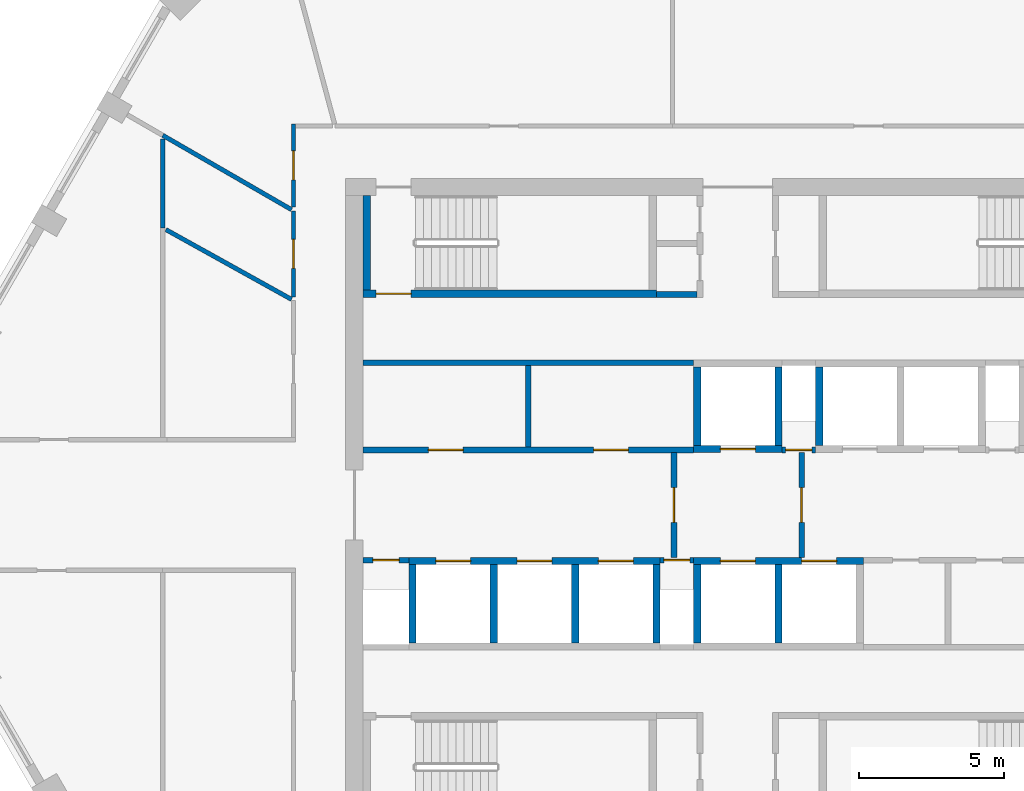
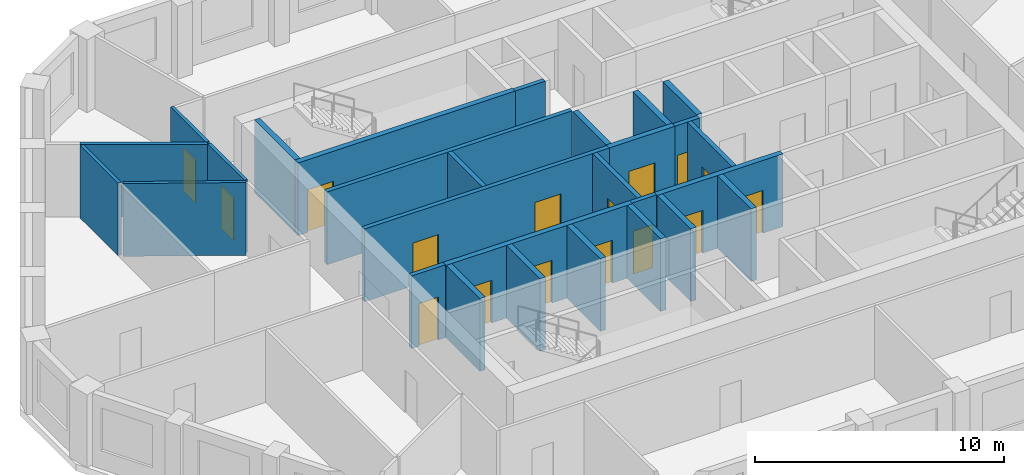
# One storey, part 3 of 7: 28 walls, 16 doors, 16 openings.
"""IFC4 building model written with IfcOpenShell, lengths in metres."""

from ifc_helpers import new_model, si_unit, direction, frame, frame_2d, origin, place, context, subcontext, project, spatial, polyline, rectangle, outline, extrude, material, layer, layer_set, type_object, element, fill, save


model = new_model("IFC4")

# Units and contexts
model_context = context("Model", 3, precision=1e-05, world=origin(), true_north=direction((0.0, 1.0)))
body_context = subcontext(model_context, "Body", "Model", "MODEL_VIEW")
ifc_project = project(units=[si_unit("LENGTHUNIT", "METRE"), si_unit("AREAUNIT", "SQUARE_METRE"), si_unit("VOLUMEUNIT", "CUBIC_METRE"), si_unit("PLANEANGLEUNIT", "RADIAN"), si_unit("MASSUNIT", "GRAM", prefix="KILO")], contexts=[model_context])

# Site, building, storey
site_placement = place(None, origin())
site = spatial("IfcSite", under=ifc_project, at=site_placement, CompositionType="ELEMENT")
building_placement = place(site_placement, origin())
building = spatial("IfcBuilding", under=site, at=building_placement, Name="Dhurran Vertical Campus", CompositionType="ELEMENT")
storey_placement = place(building_placement, frame((0.0, 0.0, 262.5)))
storey = spatial("IfcBuildingStorey", under=building, at=storey_placement, Name="L65", CompositionType="ELEMENT", Elevation=262.5)

# Wall, opening, door
ifc_material_1 = material(Name="Fire-rated masonry blockwork", Category="masonry")
ifc_layer_1 = layer(ifc_material_1, 0.199951171875)
ifc_layer_set_1 = layer_set([ifc_layer_1], Name="Fire-rated masonry blockwork")
wall_type_1 = type_object("IfcWallType", Name="co-FIRE-PARTITION-200", PredefinedType="PARTITIONING", material=ifc_layer_set_1)
wall_1_placement = place(storey_placement, frame((-2.199951171875, -1.800048828125, 0.0), z_axis=(0.0, 0.0, 1.0), x_axis=(0.0, 1.0, 0.0)))
wall_1 = element("IfcWall", 1, at=wall_1_placement, inside=storey, type_object=wall_type_1, Name="Firefighting lobby wall W L65", PredefinedType="PARTITIONING", context=body_context, shape_type="SweptSolid", body=[
    extrude(rectangle(XDim=3.60009765625, YDim=0.199951171875, at=frame_2d((1.800048828125, 0.0))), origin(), (0.0, 0.0, 1.0), 3.574951171875),
])
opening_1_placement = place(wall_1_placement, frame((1.199951171875, 0.0, 0.0)))
opening_1 = element("IfcOpeningElement", 2, at=opening_1_placement, cuts=wall_1, Name="Opening FL1", PredefinedType="OPENING", context=body_context, shape_type="SweptSolid", body=[
    extrude(rectangle(XDim=1.199951171875, YDim=2.10009765625, at=frame_2d((0.60009765625, 1.050048828125))), frame((0.0, 0.10986328125, 0.0), z_axis=(0.0, -1.0, 0.0), x_axis=(1.0, 0.0, 0.0)), (0.0, 0.0, 1.0), 0.219970703125),
])
ifc_material_2 = material(Name="Fire-rated steel door set", Category="steel")
door_type_1 = type_object("IfcDoorType", Name="co-D-FFLOBBY 1200x2100", OperationType="SINGLE_SWING_LEFT", PredefinedType="DOOR", material=ifc_material_2)
door_1_placement = place(opening_1_placement, origin())
door_1 = element("IfcDoor", 3, at=door_1_placement, inside=storey, type_object=door_type_1, Name="Firefighting lobby door W L65", OperationType="SINGLE_SWING_LEFT", OverallHeight=2.10009765625, OverallWidth=1.199951171875, PredefinedType="DOOR", context=body_context, shape_type="SweptSolid", body=[
    extrude(rectangle(XDim=1.199951171875, YDim=2.10009765625, at=frame_2d((0.60009765625, 1.050048828125))), frame((0.0, 0.02490234375, 0.0), z_axis=(0.0, -1.0, 0.0), x_axis=(1.0, 0.0, 0.0)), (0.0, 0.0, 1.0), 0.050048828125),
])
fill(opening_1, door_1)

wall_2_placement = place(storey_placement, frame((2.199951171875, -1.800048828125, 0.0), z_axis=(0.0, 0.0, 1.0), x_axis=(0.0, 1.0, 0.0)))
wall_2 = element("IfcWall", 4, at=wall_2_placement, inside=storey, type_object=wall_type_1, Name="Firefighting lobby wall E L65", PredefinedType="PARTITIONING", context=body_context, shape_type="SweptSolid", body=[
    extrude(rectangle(XDim=3.60009765625, YDim=0.199951171875, at=frame_2d((1.800048828125, 0.0))), origin(), (0.0, 0.0, 1.0), 3.574951171875),
])
opening_2_placement = place(wall_2_placement, frame((1.199951171875, 0.0, 0.0)))
opening_2 = element("IfcOpeningElement", 5, at=opening_2_placement, cuts=wall_2, Name="Opening FL2", PredefinedType="OPENING", context=body_context, shape_type="SweptSolid", body=[
    extrude(rectangle(XDim=1.199951171875, YDim=2.10009765625, at=frame_2d((0.60009765625, 1.050048828125))), frame((0.0, 0.10986328125, 0.0), z_axis=(0.0, -1.0, 0.0), x_axis=(1.0, 0.0, 0.0)), (0.0, 0.0, 1.0), 0.219970703125),
])
door_2_placement = place(opening_2_placement, origin())
door_2 = element("IfcDoor", 6, at=door_2_placement, inside=storey, type_object=door_type_1, Name="Firefighting lobby door E L65", OperationType="SINGLE_SWING_LEFT", OverallHeight=2.10009765625, OverallWidth=1.199951171875, PredefinedType="DOOR", context=body_context, shape_type="SweptSolid", body=[
    extrude(rectangle(XDim=1.199951171875, YDim=2.10009765625, at=frame_2d((0.60009765625, 1.050048828125))), frame((0.0, 0.02490234375, 0.0), z_axis=(0.0, -1.0, 0.0), x_axis=(1.0, 0.0, 0.0)), (0.0, 0.0, 1.0), 0.050048828125),
])
fill(opening_2, door_2)

# Walls
wall_3_placement = place(storey_placement, frame((-2.800048828125, 7.25, 0.0), z_axis=(0.0, 0.0, 1.0), x_axis=(1.0, 0.0, 0.0)))
element("IfcWall", 7, at=wall_3_placement, inside=storey, type_object=wall_type_1, Name="Core partition sl-NW-S L65", PredefinedType="PARTITIONING", context=body_context, shape_type="SweptSolid", body=[
    extrude(rectangle(XDim=1.400146484375, YDim=0.199951171875, at=frame_2d((0.7001953125, 0.0))), origin(), (0.0, 0.0, 1.0), 3.574951171875),
])
wall_4_placement = place(storey_placement, frame((-7.21240234375, 2.0, 0.0), z_axis=(0.0, 0.0, 1.0), x_axis=(0.0, 1.0, 0.0)))
element("IfcWall", 8, at=wall_4_placement, inside=storey, type_object=wall_type_1, Name="Core partition fr-N0-cut0 L65", PredefinedType="PARTITIONING", context=body_context, shape_type="SweptSolid", body=[
    extrude(rectangle(XDim=2.800048828125, YDim=0.199951171875, at=frame_2d((1.39990234375, 0.0))), origin(), (0.0, 0.0, 1.0), 3.574951171875),
])

# Wall, openings, doors
wall_5_placement = place(storey_placement, frame((-12.89990234375, 1.89990234375, 0.0), z_axis=(0.0, 0.0, 1.0), x_axis=(1.0, 0.0, 0.0)))
wall_5 = element("IfcWall", 9, at=wall_5_placement, inside=storey, type_object=wall_type_1, Name="Core partition fr-N0-f L65", PredefinedType="PARTITIONING", context=body_context, shape_type="SweptSolid", body=[
    extrude(rectangle(XDim=11.375, YDim=0.199951171875, at=frame_2d((5.6875, 0.0))), origin(), (0.0, 0.0, 1.0), 3.574951171875),
])
opening_3_placement = place(wall_5_placement, frame((2.243896484375, 0.0, 0.0)))
opening_3 = element("IfcOpeningElement", 10, at=opening_3_placement, cuts=wall_5, Name="Opening T19-C6", PredefinedType="OPENING", context=body_context, shape_type="SweptSolid", body=[
    extrude(rectangle(XDim=1.199951171875, YDim=2.10009765625, at=frame_2d((0.60009765625, 1.050048828125))), frame((0.0, 0.10986328125, 0.0), z_axis=(0.0, -1.0, 0.0), x_axis=(1.0, 0.0, 0.0)), (0.0, 0.0, 1.0), 0.219970703125),
])
opening_4_placement = place(wall_5_placement, frame((7.931396484375, 0.0, 0.0)))
opening_4 = element("IfcOpeningElement", 11, at=opening_4_placement, cuts=wall_5, Name="Opening T19-C7", PredefinedType="OPENING", context=body_context, shape_type="SweptSolid", body=[
    extrude(rectangle(XDim=1.199951171875, YDim=2.10009765625, at=frame_2d((0.60009765625, 1.050048828125))), frame((0.0, 0.10986328125, 0.0), z_axis=(0.0, -1.0, 0.0), x_axis=(1.0, 0.0, 0.0)), (0.0, 0.0, 1.0), 0.219970703125),
])
ifc_material_3 = material(Name="Fire-rated steel door set", Category="steel")
door_type_2 = type_object("IfcDoorType", Name="co-D-ROOM-PASSAGE 1200x2100", OperationType="SINGLE_SWING_RIGHT", PredefinedType="DOOR", material=ifc_material_3)
door_3_placement = place(opening_3_placement, origin())
door_3 = element("IfcDoor", 12, at=door_3_placement, inside=storey, type_object=door_type_2, Name="Store door L65", OperationType="SINGLE_SWING_RIGHT", OverallHeight=2.10009765625, OverallWidth=1.199951171875, PredefinedType="DOOR", context=body_context, shape_type="SweptSolid", body=[
    extrude(rectangle(XDim=1.199951171875, YDim=2.10009765625, at=frame_2d((0.60009765625, 1.050048828125))), frame((0.0, 0.02490234375, 0.0), z_axis=(0.0, -1.0, 0.0), x_axis=(1.0, 0.0, 0.0)), (0.0, 0.0, 1.0), 0.050048828125),
])
fill(opening_3, door_3)
door_4_placement = place(opening_4_placement, origin())
door_4 = element("IfcDoor", 13, at=door_4_placement, inside=storey, type_object=door_type_2, Name="Housekeeping store door L65", OperationType="SINGLE_SWING_RIGHT", OverallHeight=2.10009765625, OverallWidth=1.199951171875, PredefinedType="DOOR", context=body_context, shape_type="SweptSolid", body=[
    extrude(rectangle(XDim=1.199951171875, YDim=2.10009765625, at=frame_2d((0.60009765625, 1.050048828125))), frame((0.0, 0.02490234375, 0.0), z_axis=(0.0, -1.0, 0.0), x_axis=(1.0, 0.0, 0.0)), (0.0, 0.0, 1.0), 0.050048828125),
])
fill(opening_4, door_4)

# Wall
wall_6_placement = place(storey_placement, frame((-12.89990234375, 4.89990234375, 0.0), z_axis=(0.0, 0.0, 1.0), x_axis=(1.0, 0.0, 0.0)))
element("IfcWall", 14, at=wall_6_placement, inside=storey, type_object=wall_type_1, Name="Core partition fr-N0-b L65", PredefinedType="PARTITIONING", context=body_context, shape_type="SweptSolid", body=[
    extrude(rectangle(XDim=11.375, YDim=0.199951171875, at=frame_2d((5.6875, 0.0))), origin(), (0.0, 0.0, 1.0), 3.574951171875),
])

# Wall, opening, door
wall_7_placement = place(storey_placement, frame((1.52490234375, 1.89990234375, 0.0), z_axis=(0.0, 0.0, 1.0), x_axis=(1.0, 0.0, 0.0)))
wall_7 = element("IfcWall", 15, at=wall_7_placement, inside=storey, type_object=wall_type_1, Name="Core partition fr-N1-f L65", PredefinedType="PARTITIONING", context=body_context, shape_type="SweptSolid", body=[
    extrude(rectangle(XDim=1.150146484375, YDim=0.199951171875, at=frame_2d((0.5751953125, 0.0))), origin(), (0.0, 0.0, 1.0), 3.574951171875),
])
opening_5_placement = place(wall_7_placement, frame((0.125, 0.0, 0.0)))
opening_5 = element("IfcOpeningElement", 16, at=opening_5_placement, cuts=wall_7, Name="Opening T19-C8", PredefinedType="OPENING", context=body_context, shape_type="SweptSolid", body=[
    extrude(rectangle(XDim=0.89990234375, YDim=2.10009765625, at=frame_2d((0.449951171875, 1.050048828125))), frame((0.0, 0.10986328125, 0.0), z_axis=(0.0, -1.0, 0.0), x_axis=(1.0, 0.0, 0.0)), (0.0, 0.0, 1.0), 0.219970703125),
])
ifc_material_4 = material(Name="Fire-rated timber door set", Category="wood")
door_type_3 = type_object("IfcDoorType", Name="co-D-ROOM 900x2100", OperationType="SINGLE_SWING_LEFT", PredefinedType="DOOR", material=ifc_material_4)
door_5_placement = place(opening_5_placement, origin())
door_5 = element("IfcDoor", 17, at=door_5_placement, inside=storey, type_object=door_type_3, Name="Water riser door L65", OperationType="SINGLE_SWING_LEFT", OverallHeight=2.10009765625, OverallWidth=0.89990234375, PredefinedType="DOOR", context=body_context, shape_type="SweptSolid", body=[
    extrude(rectangle(XDim=0.89990234375, YDim=2.10009765625, at=frame_2d((0.449951171875, 1.050048828125))), frame((0.0, 0.02490234375, 0.0), z_axis=(0.0, -1.0, 0.0), x_axis=(1.0, 0.0, 0.0)), (0.0, 0.0, 1.0), 0.050048828125),
])
fill(opening_5, door_5)

wall_8_placement = place(storey_placement, frame((-12.89990234375, -1.89990234375, 0.0), z_axis=(0.0, 0.0, 1.0), x_axis=(1.0, 0.0, 0.0)))
wall_8 = element("IfcWall", 18, at=wall_8_placement, inside=storey, type_object=wall_type_1, Name="Core partition fr-S0-f L65", PredefinedType="PARTITIONING", context=body_context, shape_type="SweptSolid", body=[
    extrude(rectangle(XDim=1.574951171875, YDim=0.199951171875, at=frame_2d((0.78759765625, 0.0))), origin(), (0.0, 0.0, 1.0), 3.574951171875),
])
opening_6_placement = place(wall_8_placement, frame((0.33740234375, 0.0, 0.0)))
opening_6 = element("IfcOpeningElement", 19, at=opening_6_placement, cuts=wall_8, Name="Opening T19-C10", PredefinedType="OPENING", context=body_context, shape_type="SweptSolid", body=[
    extrude(rectangle(XDim=0.89990234375, YDim=2.10009765625, at=frame_2d((0.449951171875, 1.050048828125))), frame((0.0, 0.10986328125, 0.0), z_axis=(0.0, -1.0, 0.0), x_axis=(1.0, 0.0, 0.0)), (0.0, 0.0, 1.0), 0.219970703125),
])
door_6_placement = place(opening_6_placement, origin())
door_6 = element("IfcDoor", 20, at=door_6_placement, inside=storey, type_object=door_type_3, Name="Electrical riser door L65", OperationType="SINGLE_SWING_LEFT", OverallHeight=2.10009765625, OverallWidth=0.89990234375, PredefinedType="DOOR", context=body_context, shape_type="SweptSolid", body=[
    extrude(rectangle(XDim=0.89990234375, YDim=2.10009765625, at=frame_2d((0.449951171875, 1.050048828125))), frame((0.0, 0.02490234375, 0.0), z_axis=(0.0, -1.0, 0.0), x_axis=(1.0, 0.0, 0.0)), (0.0, 0.0, 1.0), 0.050048828125),
])
fill(opening_6, door_6)

wall_9_placement = place(storey_placement, frame((-2.675048828125, -1.89990234375, 0.0), z_axis=(0.0, 0.0, 1.0), x_axis=(1.0, 0.0, 0.0)))
wall_9 = element("IfcWall", 21, at=wall_9_placement, inside=storey, type_object=wall_type_1, Name="Core partition fr-S1-f L65", PredefinedType="PARTITIONING", context=body_context, shape_type="SweptSolid", body=[
    extrude(rectangle(XDim=1.150146484375, YDim=0.199951171875, at=frame_2d((0.5751953125, 0.0))), origin(), (0.0, 0.0, 1.0), 3.574951171875),
])
opening_7_placement = place(wall_9_placement, frame((0.125, 0.0, 0.0)))
opening_7 = element("IfcOpeningElement", 22, at=opening_7_placement, cuts=wall_9, Name="Opening T19-C11", PredefinedType="OPENING", context=body_context, shape_type="SweptSolid", body=[
    extrude(rectangle(XDim=0.89990234375, YDim=2.10009765625, at=frame_2d((0.449951171875, 1.050048828125))), frame((0.0, 0.10986328125, 0.0), z_axis=(0.0, -1.0, 0.0), x_axis=(1.0, 0.0, 0.0)), (0.0, 0.0, 1.0), 0.219970703125),
])
door_7_placement = place(opening_7_placement, origin())
door_7 = element("IfcDoor", 23, at=door_7_placement, inside=storey, type_object=door_type_3, Name="Water riser door L65", OperationType="SINGLE_SWING_LEFT", OverallHeight=2.10009765625, OverallWidth=0.89990234375, PredefinedType="DOOR", context=body_context, shape_type="SweptSolid", body=[
    extrude(rectangle(XDim=0.89990234375, YDim=2.10009765625, at=frame_2d((0.449951171875, 1.050048828125))), frame((0.0, 0.02490234375, 0.0), z_axis=(0.0, -1.0, 0.0), x_axis=(1.0, 0.0, 0.0)), (0.0, 0.0, 1.0), 0.050048828125),
])
fill(opening_7, door_7)

ifc_material_5 = material(Name="Concrete C50/60", Category="concrete")
ifc_layer_2 = layer(ifc_material_5, 0.25)
ifc_layer_set_2 = layer_set([ifc_layer_2], Name="Concrete C50/60")
wall_type_2 = type_object("IfcWallType", Name="co-SHAFT-FRONT-250", PredefinedType="SHEAR", material=ifc_layer_set_2)
wall_10_placement = place(storey_placement, frame((-1.52490234375, 1.925048828125, 0.0), z_axis=(0.0, 0.0, 1.0), x_axis=(1.0, 0.0, 0.0)))
wall_10 = element("IfcWall", 24, at=wall_10_placement, inside=storey, type_object=wall_type_2, Name="Lift landing wall N L65", PredefinedType="SHEAR", context=body_context, shape_type="SweptSolid", body=[
    extrude(rectangle(XDim=3.0498046875, YDim=0.25, at=frame_2d((1.52490234375, 0.0))), origin(), (0.0, 0.0, 1.0), 3.574951171875),
])
opening_8_placement = place(wall_10_placement, frame((0.925048828125, 0.0, 0.0)))
opening_8 = element("IfcOpeningElement", 25, at=opening_8_placement, cuts=wall_10, Name="Opening LD", PredefinedType="OPENING", context=body_context, shape_type="SweptSolid", body=[
    extrude(rectangle(XDim=1.199951171875, YDim=2.10009765625, at=frame_2d((0.60009765625, 1.050048828125))), frame((0.0, 0.135009765625, 0.0), z_axis=(0.0, -1.0, 0.0), x_axis=(1.0, 0.0, 0.0)), (0.0, 0.0, 1.0), 0.27001953125),
])
ifc_material_6 = material(Name="Stainless steel landing door", Category="steel")
door_type_4 = type_object("IfcDoorType", Name="co-D-LANDING 1200x2100", OperationType="DOUBLE_DOOR_SLIDING", PredefinedType="DOOR", material=ifc_material_6)
door_8_placement = place(opening_8_placement, origin())
door_8 = element("IfcDoor", 26, at=door_8_placement, inside=storey, type_object=door_type_4, Name="Landing door FF1 L65", OperationType="DOUBLE_DOOR_SLIDING", OverallHeight=2.10009765625, OverallWidth=1.199951171875, PredefinedType="DOOR", context=body_context, shape_type="SweptSolid", body=[
    extrude(rectangle(XDim=1.199951171875, YDim=2.10009765625, at=frame_2d((0.60009765625, 1.050048828125))), frame((0.0, 0.02490234375, 0.0), z_axis=(0.0, -1.0, 0.0), x_axis=(1.0, 0.0, 0.0)), (0.0, 0.0, 1.0), 0.050048828125),
])
fill(opening_8, door_8)

# Wall, openings, doors
wall_11_placement = place(storey_placement, frame((-11.324951171875, -1.925048828125, 0.0), z_axis=(0.0, 0.0, 1.0), x_axis=(1.0, 0.0, 0.0)))
wall_11 = element("IfcWall", 27, at=wall_11_placement, inside=storey, type_object=wall_type_2, Name="Lift landing wall S L65", PredefinedType="SHEAR", context=body_context, shape_type="SweptSolid", body=[
    extrude(rectangle(XDim=8.64990234375, YDim=0.25, at=frame_2d((4.324951171875, 0.0))), origin(), (0.0, 0.0, 1.0), 3.574951171875),
])
opening_9_placement = place(wall_11_placement, frame((0.925048828125, 0.0, 0.0)))
opening_9 = element("IfcOpeningElement", 28, at=opening_9_placement, cuts=wall_11, Name="Opening LD", PredefinedType="OPENING", context=body_context, shape_type="SweptSolid", body=[
    extrude(rectangle(XDim=1.199951171875, YDim=2.10009765625, at=frame_2d((0.60009765625, 1.050048828125))), frame((0.0, 0.135009765625, 0.0), z_axis=(0.0, -1.0, 0.0), x_axis=(1.0, 0.0, 0.0)), (0.0, 0.0, 1.0), 0.27001953125),
])
opening_10_placement = place(wall_11_placement, frame((3.72509765625, 0.0, 0.0)))
opening_10 = element("IfcOpeningElement", 29, at=opening_10_placement, cuts=wall_11, Name="Opening LD", PredefinedType="OPENING", context=body_context, shape_type="SweptSolid", body=[
    extrude(rectangle(XDim=1.199951171875, YDim=2.10009765625, at=frame_2d((0.60009765625, 1.050048828125))), frame((0.0, 0.135009765625, 0.0), z_axis=(0.0, -1.0, 0.0), x_axis=(1.0, 0.0, 0.0)), (0.0, 0.0, 1.0), 0.27001953125),
])
opening_11_placement = place(wall_11_placement, frame((6.52490234375, 0.0, 0.0)))
opening_11 = element("IfcOpeningElement", 30, at=opening_11_placement, cuts=wall_11, Name="Opening LD", PredefinedType="OPENING", context=body_context, shape_type="SweptSolid", body=[
    extrude(rectangle(XDim=1.199951171875, YDim=2.10009765625, at=frame_2d((0.60009765625, 1.050048828125))), frame((0.0, 0.135009765625, 0.0), z_axis=(0.0, -1.0, 0.0), x_axis=(1.0, 0.0, 0.0)), (0.0, 0.0, 1.0), 0.27001953125),
])
door_9_placement = place(opening_9_placement, origin())
door_9 = element("IfcDoor", 31, at=door_9_placement, inside=storey, type_object=door_type_4, Name="Landing door HR3 L65", OperationType="DOUBLE_DOOR_SLIDING", OverallHeight=2.10009765625, OverallWidth=1.199951171875, PredefinedType="DOOR", context=body_context, shape_type="SweptSolid", body=[
    extrude(rectangle(XDim=1.199951171875, YDim=2.10009765625, at=frame_2d((0.60009765625, 1.050048828125))), frame((0.0, 0.02490234375, 0.0), z_axis=(0.0, -1.0, 0.0), x_axis=(1.0, 0.0, 0.0)), (0.0, 0.0, 1.0), 0.050048828125),
])
fill(opening_9, door_9)
door_10_placement = place(opening_10_placement, origin())
door_10 = element("IfcDoor", 32, at=door_10_placement, inside=storey, type_object=door_type_4, Name="Landing door HR4 L65", OperationType="DOUBLE_DOOR_SLIDING", OverallHeight=2.10009765625, OverallWidth=1.199951171875, PredefinedType="DOOR", context=body_context, shape_type="SweptSolid", body=[
    extrude(rectangle(XDim=1.199951171875, YDim=2.10009765625, at=frame_2d((0.60009765625, 1.050048828125))), frame((0.0, 0.02490234375, 0.0), z_axis=(0.0, -1.0, 0.0), x_axis=(1.0, 0.0, 0.0)), (0.0, 0.0, 1.0), 0.050048828125),
])
fill(opening_10, door_10)
door_11_placement = place(opening_11_placement, origin())
door_11 = element("IfcDoor", 33, at=door_11_placement, inside=storey, type_object=door_type_4, Name="Landing door HR5 L65", OperationType="DOUBLE_DOOR_SLIDING", OverallHeight=2.10009765625, OverallWidth=1.199951171875, PredefinedType="DOOR", context=body_context, shape_type="SweptSolid", body=[
    extrude(rectangle(XDim=1.199951171875, YDim=2.10009765625, at=frame_2d((0.60009765625, 1.050048828125))), frame((0.0, 0.02490234375, 0.0), z_axis=(0.0, -1.0, 0.0), x_axis=(1.0, 0.0, 0.0)), (0.0, 0.0, 1.0), 0.050048828125),
])
fill(opening_11, door_11)

wall_12_placement = place(storey_placement, frame((-1.52490234375, -1.925048828125, 0.0), z_axis=(0.0, 0.0, 1.0), x_axis=(1.0, 0.0, 0.0)))
wall_12 = element("IfcWall", 34, at=wall_12_placement, inside=storey, type_object=wall_type_2, Name="Lift landing wall S L65", PredefinedType="SHEAR", context=body_context, shape_type="SweptSolid", body=[
    extrude(rectangle(XDim=5.849853515625, YDim=0.25, at=frame_2d((2.9248046875, 0.0))), origin(), (0.0, 0.0, 1.0), 3.574951171875),
])
opening_12_placement = place(wall_12_placement, frame((0.925048828125, 0.0, 0.0)))
opening_12 = element("IfcOpeningElement", 35, at=opening_12_placement, cuts=wall_12, Name="Opening LD", PredefinedType="OPENING", context=body_context, shape_type="SweptSolid", body=[
    extrude(rectangle(XDim=1.199951171875, YDim=2.10009765625, at=frame_2d((0.60009765625, 1.050048828125))), frame((0.0, 0.135009765625, 0.0), z_axis=(0.0, -1.0, 0.0), x_axis=(1.0, 0.0, 0.0)), (0.0, 0.0, 1.0), 0.27001953125),
])
opening_13_placement = place(wall_12_placement, frame((3.72509765625, 0.0, 0.0)))
opening_13 = element("IfcOpeningElement", 36, at=opening_13_placement, cuts=wall_12, Name="Opening LD", PredefinedType="OPENING", context=body_context, shape_type="SweptSolid", body=[
    extrude(rectangle(XDim=1.199951171875, YDim=2.10009765625, at=frame_2d((0.60009765625, 1.050048828125))), frame((0.0, 0.135009765625, 0.0), z_axis=(0.0, -1.0, 0.0), x_axis=(1.0, 0.0, 0.0)), (0.0, 0.0, 1.0), 0.27001953125),
])
door_12_placement = place(opening_12_placement, origin())
door_12 = element("IfcDoor", 37, at=door_12_placement, inside=storey, type_object=door_type_4, Name="Landing door FF2 L65", OperationType="DOUBLE_DOOR_SLIDING", OverallHeight=2.10009765625, OverallWidth=1.199951171875, PredefinedType="DOOR", context=body_context, shape_type="SweptSolid", body=[
    extrude(rectangle(XDim=1.199951171875, YDim=2.10009765625, at=frame_2d((0.60009765625, 1.050048828125))), frame((0.0, 0.02490234375, 0.0), z_axis=(0.0, -1.0, 0.0), x_axis=(1.0, 0.0, 0.0)), (0.0, 0.0, 1.0), 0.050048828125),
])
fill(opening_12, door_12)
door_13_placement = place(opening_13_placement, origin())
door_13 = element("IfcDoor", 38, at=door_13_placement, inside=storey, type_object=door_type_4, Name="Landing door SV1 L65", OperationType="DOUBLE_DOOR_SLIDING", OverallHeight=2.10009765625, OverallWidth=1.199951171875, PredefinedType="DOOR", context=body_context, shape_type="SweptSolid", body=[
    extrude(rectangle(XDim=1.199951171875, YDim=2.10009765625, at=frame_2d((0.60009765625, 1.050048828125))), frame((0.0, 0.02490234375, 0.0), z_axis=(0.0, -1.0, 0.0), x_axis=(1.0, 0.0, 0.0)), (0.0, 0.0, 1.0), 0.050048828125),
])
fill(opening_13, door_13)

# Walls
ifc_material_7 = material(Name="Concrete C50/60", Category="concrete")
ifc_layer_3 = layer(ifc_material_7, 0.25)
ifc_layer_set_3 = layer_set([ifc_layer_3], Name="Concrete C50/60")
wall_type_3 = type_object("IfcWallType", Name="co-SHAFT-MASS-250", PredefinedType="SHEAR", material=ifc_layer_set_3)
wall_13_placement = place(storey_placement, origin())
element("IfcWall", 39, at=wall_13_placement, inside=storey, type_object=wall_type_3, Name="Lift shaft wall N L65 4", PredefinedType="SHEAR", context=body_context, shape_type="SweptSolid", body=[
    extrude(outline(polyline([(-1.52490234375, 2.050048828125), (-1.27490234375, 2.050048828125), (-1.27490234375, 4.75), (-1.52490234375, 4.75), (-1.52490234375, 2.050048828125)])), origin(), (0.0, 0.0, 1.0), 3.574951171875),
])
wall_14_placement = place(storey_placement, origin())
element("IfcWall", 40, at=wall_14_placement, inside=storey, type_object=wall_type_3, Name="Lift shaft wall N L65 5", PredefinedType="SHEAR", context=body_context, shape_type="SweptSolid", body=[
    extrude(outline(polyline([(1.27490234375, 2.050048828125), (1.52490234375, 2.050048828125), (1.52490234375, 4.75), (1.27490234375, 4.75), (1.27490234375, 2.050048828125)])), origin(), (0.0, 0.0, 1.0), 3.574951171875),
])
wall_15_placement = place(storey_placement, origin())
element("IfcWall", 41, at=wall_15_placement, inside=storey, type_object=wall_type_3, Name="Lift shaft wall N L65 6", PredefinedType="SHEAR", context=body_context, shape_type="SweptSolid", body=[
    extrude(outline(polyline([(2.675048828125, 2.050048828125), (2.925048828125, 2.050048828125), (2.925048828125, 4.75), (2.675048828125, 4.75), (2.675048828125, 2.050048828125)])), origin(), (0.0, 0.0, 1.0), 3.574951171875),
])
wall_16_placement = place(storey_placement, origin())
element("IfcWall", 42, at=wall_16_placement, inside=storey, type_object=wall_type_3, Name="Lift shaft wall S L65 3", PredefinedType="SHEAR", context=body_context, shape_type="SweptSolid", body=[
    extrude(outline(polyline([(-11.324951171875, -4.75), (-11.074951171875, -4.75), (-11.074951171875, -2.050048828125), (-11.324951171875, -2.050048828125), (-11.324951171875, -4.75)])), origin(), (0.0, 0.0, 1.0), 3.574951171875),
])
wall_17_placement = place(storey_placement, origin())
element("IfcWall", 43, at=wall_17_placement, inside=storey, type_object=wall_type_3, Name="Lift shaft wall S L65 4", PredefinedType="SHEAR", context=body_context, shape_type="SweptSolid", body=[
    extrude(outline(polyline([(-8.52490234375, -4.75), (-8.27490234375, -4.75), (-8.27490234375, -2.050048828125), (-8.52490234375, -2.050048828125), (-8.52490234375, -4.75)])), origin(), (0.0, 0.0, 1.0), 3.574951171875),
])
wall_18_placement = place(storey_placement, origin())
element("IfcWall", 44, at=wall_18_placement, inside=storey, type_object=wall_type_3, Name="Lift shaft wall S L65 5", PredefinedType="SHEAR", context=body_context, shape_type="SweptSolid", body=[
    extrude(outline(polyline([(-5.72509765625, -4.75), (-5.47509765625, -4.75), (-5.47509765625, -2.050048828125), (-5.72509765625, -2.050048828125), (-5.72509765625, -4.75)])), origin(), (0.0, 0.0, 1.0), 3.574951171875),
])
wall_19_placement = place(storey_placement, origin())
element("IfcWall", 45, at=wall_19_placement, inside=storey, type_object=wall_type_3, Name="Lift shaft wall S L65 6", PredefinedType="SHEAR", context=body_context, shape_type="SweptSolid", body=[
    extrude(outline(polyline([(-2.925048828125, -4.75), (-2.675048828125, -4.75), (-2.675048828125, -2.050048828125), (-2.925048828125, -2.050048828125), (-2.925048828125, -4.75)])), origin(), (0.0, 0.0, 1.0), 3.574951171875),
])
wall_20_placement = place(storey_placement, origin())
element("IfcWall", 46, at=wall_20_placement, inside=storey, type_object=wall_type_3, Name="Lift shaft wall S L65 7", PredefinedType="SHEAR", context=body_context, shape_type="SweptSolid", body=[
    extrude(outline(polyline([(-1.52490234375, -4.75), (-1.27490234375, -4.75), (-1.27490234375, -2.050048828125), (-1.52490234375, -2.050048828125), (-1.52490234375, -4.75)])), origin(), (0.0, 0.0, 1.0), 3.574951171875),
])
wall_21_placement = place(storey_placement, origin())
element("IfcWall", 47, at=wall_21_placement, inside=storey, type_object=wall_type_3, Name="Lift shaft wall S L65 8", PredefinedType="SHEAR", context=body_context, shape_type="SweptSolid", body=[
    extrude(outline(polyline([(1.27490234375, -4.75), (1.52490234375, -4.75), (1.52490234375, -2.050048828125), (1.27490234375, -2.050048828125), (1.27490234375, -4.75)])), origin(), (0.0, 0.0, 1.0), 3.574951171875),
])

# Wall, opening, door
ifc_material_8 = material(Name="Concrete C40/50", Category="concrete")
ifc_layer_4 = layer(ifc_material_8, 0.25)
ifc_layer_set_4 = layer_set([ifc_layer_4], Name="Concrete C40/50")
wall_type_4 = type_object("IfcWallType", Name="co-STAIR-WALL-250", PredefinedType="SHEAR", material=ifc_layer_set_4)
wall_22_placement = place(storey_placement, frame((-12.89990234375, 7.27490234375, 0.0), z_axis=(0.0, 0.0, 1.0), x_axis=(1.0, 0.0, 0.0)))
wall_22 = element("IfcWall", 48, at=wall_22_placement, inside=storey, type_object=wall_type_4, Name="Stair ST1 enclosure wall L65", PredefinedType="SHEAR", context=body_context, shape_type="SweptSolid", body=[
    extrude(rectangle(XDim=10.099853515625, YDim=0.25, at=frame_2d((5.0498046875, 0.0))), origin(), (0.0, 0.0, 1.0), 3.574951171875),
])
opening_14_placement = place(wall_22_placement, frame((0.449951171875, 0.0, 0.0)))
opening_14 = element("IfcOpeningElement", 49, at=opening_14_placement, cuts=wall_22, Name="Opening SD1", PredefinedType="OPENING", context=body_context, shape_type="SweptSolid", body=[
    extrude(rectangle(XDim=1.199951171875, YDim=2.10009765625, at=frame_2d((0.60009765625, 1.050048828125))), frame((0.0, 0.135009765625, 0.0), z_axis=(0.0, -1.0, 0.0), x_axis=(1.0, 0.0, 0.0)), (0.0, 0.0, 1.0), 0.27001953125),
])
ifc_material_9 = material(Name="Fire-rated steel door set", Category="steel")
door_type_5 = type_object("IfcDoorType", Name="co-D-STAIR 1200x2100", OperationType="SINGLE_SWING_LEFT", PredefinedType="DOOR", material=ifc_material_9)
door_14_placement = place(opening_14_placement, origin())
door_14 = element("IfcDoor", 50, at=door_14_placement, inside=storey, type_object=door_type_5, Name="Stair ST1 door L65", OperationType="SINGLE_SWING_LEFT", OverallHeight=2.10009765625, OverallWidth=1.199951171875, PredefinedType="DOOR", context=body_context, shape_type="SweptSolid", body=[
    extrude(rectangle(XDim=1.199951171875, YDim=2.10009765625, at=frame_2d((0.60009765625, 1.050048828125))), frame((0.0, 0.02490234375, 0.0), z_axis=(0.0, -1.0, 0.0), x_axis=(1.0, 0.0, 0.0)), (0.0, 0.0, 1.0), 0.050048828125),
])
fill(opening_14, door_14)

# Wall
wall_23_placement = place(storey_placement, frame((-12.77490234375, 7.39990234375, 0.0), z_axis=(0.0, 0.0, 1.0), x_axis=(0.0, 1.0, 0.0)))
element("IfcWall", 51, at=wall_23_placement, inside=storey, type_object=wall_type_4, Name="Stair ST1 enclosure wall L65", PredefinedType="SHEAR", context=body_context, shape_type="SweptSolid", body=[
    extrude(rectangle(XDim=3.25, YDim=0.25, at=frame_2d((1.625, 0.0))), origin(), (0.0, 0.0, 1.0), 3.574951171875),
])

# Wall, opening, door
ifc_material_10 = material(Name="Gypsum board corridor wall on steel studs", Category="steel")
ifc_layer_5 = layer(ifc_material_10, 0.14990234375)
ifc_layer_set_5 = layer_set([ifc_layer_5], Name="Gypsum board corridor wall on steel studs")
wall_type_5 = type_object("IfcWallType", Name="fl-CW-150 corridor wall", PredefinedType="PARTITIONING", material=ifc_layer_set_5)
wall_24_placement = place(storey_placement, frame((-15.300048828125, 10.132080078125, 0.0), z_axis=(0.0, 0.0, 1.0), x_axis=(0.0, -1.0, 0.0)))
wall_24 = element("IfcWall", 52, at=wall_24_placement, inside=storey, type_object=wall_type_5, Name="Partition 65-18", PredefinedType="PARTITIONING", context=body_context, shape_type="SweptSolid", body=[
    extrude(rectangle(XDim=2.963134765625, YDim=0.14990234375, at=frame_2d((1.4814453125, 0.0))), origin(), (0.0, 0.0, 1.0), 3.574951171875),
])
opening_15_placement = place(wall_24_placement, frame((0.9814453125, 0.0, 0.0)))
opening_15 = element("IfcOpeningElement", 53, at=opening_15_placement, cuts=wall_24, Name="Opening T19.05", PredefinedType="OPENING", context=body_context, shape_type="SweptSolid", body=[
    extrude(rectangle(XDim=1.0, YDim=2.10009765625, at=frame_2d((0.5, 1.050048828125))), frame((0.0, 0.0849609375, 0.0), z_axis=(0.0, -1.0, 0.0), x_axis=(1.0, 0.0, 0.0)), (0.0, 0.0, 1.0), 0.169921875),
])
ifc_material_11 = material(Name="Solid-core timber door set, fire-rated", Category="wood")
door_type_6 = type_object("IfcDoorType", Name="fl-D-1000x2100", OperationType="SINGLE_SWING_LEFT", PredefinedType="DOOR", material=ifc_material_11)
door_15_placement = place(opening_15_placement, origin())
door_15 = element("IfcDoor", 54, at=door_15_placement, inside=storey, type_object=door_type_6, Name="Door 65.05", OperationType="SINGLE_SWING_LEFT", OverallHeight=2.10009765625, OverallWidth=1.0, PredefinedType="DOOR", context=body_context, shape_type="SweptSolid", body=[
    extrude(rectangle(XDim=1.0, YDim=2.10009765625, at=frame_2d((0.5, 1.050048828125))), frame((0.0, 0.02490234375, 0.0), z_axis=(0.0, -1.0, 0.0), x_axis=(1.0, 0.0, 0.0)), (0.0, 0.0, 1.0), 0.050048828125),
])
fill(opening_15, door_15)

wall_25_placement = place(storey_placement, frame((-15.300048828125, 13.125, 0.0), z_axis=(0.0, 0.0, 1.0), x_axis=(0.0, -1.0, 0.0)))
wall_25 = element("IfcWall", 55, at=wall_25_placement, inside=storey, type_object=wall_type_5, Name="Partition 65-19", PredefinedType="PARTITIONING", context=body_context, shape_type="SweptSolid", body=[
    extrude(rectangle(XDim=2.863037109375, YDim=0.14990234375, at=frame_2d((1.431640625, 0.0))), origin(), (0.0, 0.0, 1.0), 3.574951171875),
])
opening_16_placement = place(wall_25_placement, frame((0.931396484375, 0.0, 0.0)))
opening_16 = element("IfcOpeningElement", 56, at=opening_16_placement, cuts=wall_25, Name="Opening T19.06", PredefinedType="OPENING", context=body_context, shape_type="SweptSolid", body=[
    extrude(rectangle(XDim=1.0, YDim=2.10009765625, at=frame_2d((0.5, 1.050048828125))), frame((0.0, 0.0849609375, 0.0), z_axis=(0.0, -1.0, 0.0), x_axis=(1.0, 0.0, 0.0)), (0.0, 0.0, 1.0), 0.169921875),
])
door_16_placement = place(opening_16_placement, origin())
door_16 = element("IfcDoor", 57, at=door_16_placement, inside=storey, type_object=door_type_6, Name="Door 65.06", OperationType="SINGLE_SWING_RIGHT", OverallHeight=2.10009765625, OverallWidth=1.0, PredefinedType="DOOR", context=body_context, shape_type="SweptSolid", body=[
    extrude(rectangle(XDim=1.0, YDim=2.10009765625, at=frame_2d((0.5, 1.050048828125))), frame((0.0, 0.02490234375, 0.0), z_axis=(0.0, -1.0, 0.0), x_axis=(1.0, 0.0, 0.0)), (0.0, 0.0, 1.0), 0.050048828125),
])
fill(opening_16, door_16)

# Walls
ifc_material_12 = material(Name="Gypsum board partition on steel studs", Category="steel")
ifc_layer_6 = layer(ifc_material_12, 0.14990234375)
ifc_layer_set_6 = layer_set([ifc_layer_6], Name="Gypsum board partition on steel studs")
wall_type_6 = type_object("IfcWallType", Name="fl-PW-150 fixed partition", PredefinedType="PARTITIONING", material=ifc_layer_set_6)
wall_26_placement = place(storey_placement, frame((-19.800048828125, 12.60009765625, 0.0), z_axis=(0.0, 0.0, 1.0), x_axis=(0.0, -1.0, 0.0)))
element("IfcWall", 58, at=wall_26_placement, inside=storey, type_object=wall_type_6, Name="Partition 65-09", PredefinedType="PARTITIONING", context=body_context, shape_type="SweptSolid", body=[
    extrude(rectangle(XDim=3.05712890625, YDim=0.14990234375, at=frame_2d((1.528564453125, 0.0))), origin(), (0.0, 0.0, 1.0), 3.574951171875),
])
wall_27_placement = place(storey_placement, frame((-19.690673828125, 9.482421875, 0.0), z_axis=(0.0, 0.0, 1.0), x_axis=(0.874224770133, -0.485521422067, 0.0)))
element("IfcWall", 59, at=wall_27_placement, inside=storey, type_object=wall_type_6, Name="Partition 65-10", PredefinedType="PARTITIONING", context=body_context, shape_type="SweptSolid", body=[
    extrude(rectangle(XDim=4.947509765625, YDim=0.14990234375, at=frame_2d((2.4736328125, 0.0))), origin(), (0.0, 0.0, 1.0), 3.574951171875),
])
wall_28_placement = place(storey_placement, frame((-19.800048828125, 12.72998046875, 0.0), z_axis=(0.0, 0.0, 1.0), x_axis=(0.866028396804, -0.499994815902, 0.0)))
element("IfcWall", 60, at=wall_28_placement, inside=storey, type_object=wall_type_6, Name="Partition 65-11", PredefinedType="PARTITIONING", context=body_context, shape_type="SweptSolid", body=[
    extrude(rectangle(XDim=5.12109375, YDim=0.14990234375, at=frame_2d((2.560546875, 0.0))), origin(), (0.0, 0.0, 1.0), 3.574951171875),
])

save(model, "model.ifc")
